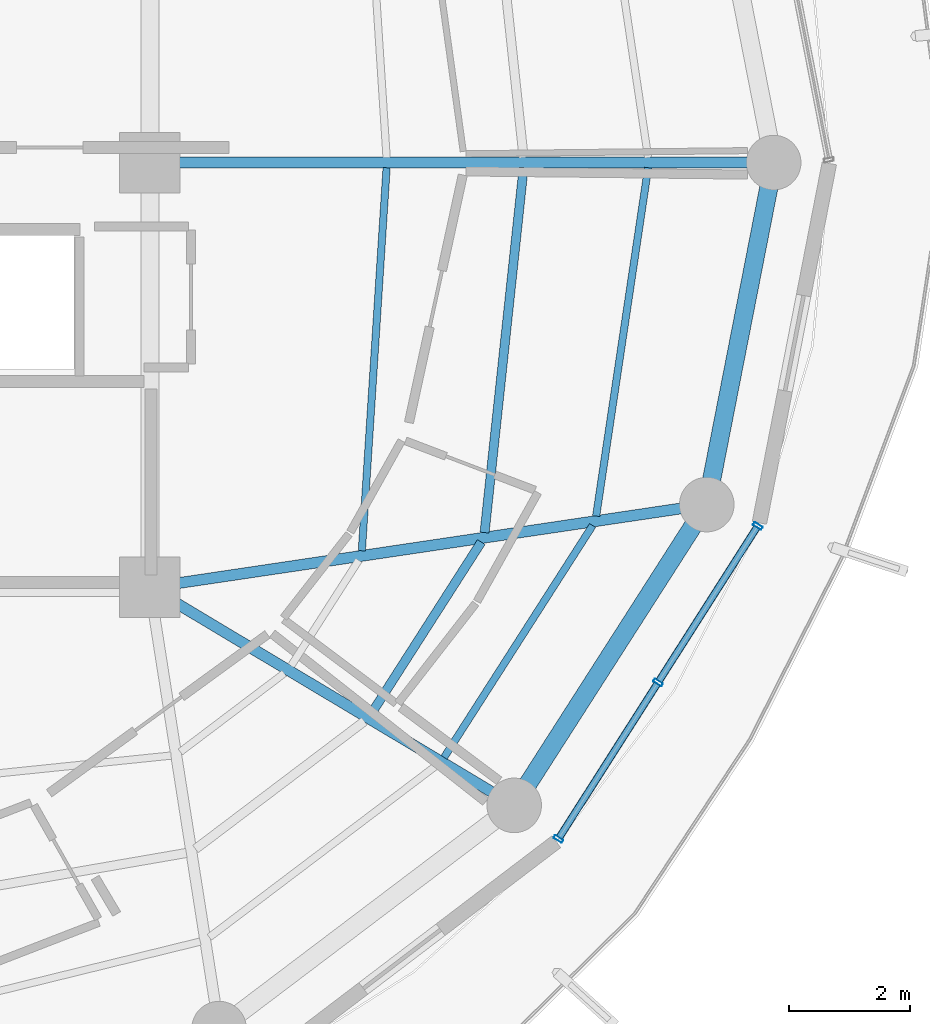
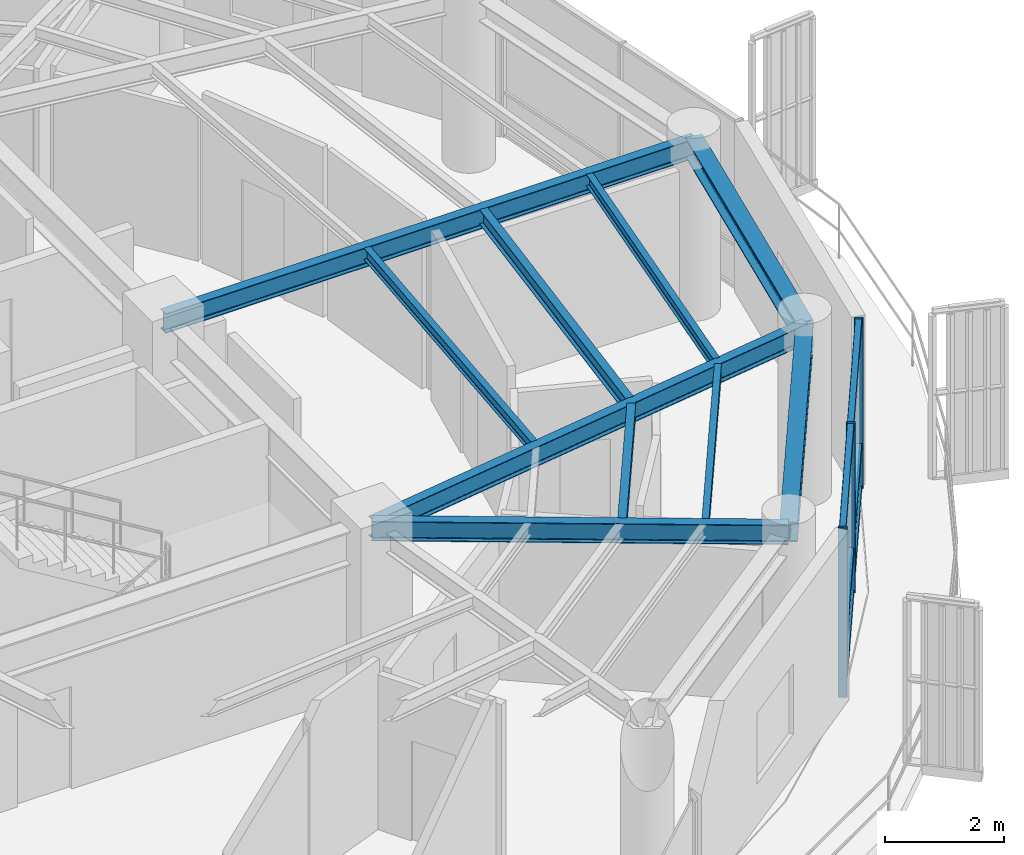
# One storey, part 9 of 22: 10 beams, 9 members, 1 element without a shape of its own.
"""IFC4 building model written with IfcOpenShell, lengths in metres."""

import ifcopenshell
import ifcopenshell.guid

model = None  # the IFC model being written
_history = None  # IfcOwnerHistory: only IFC2X3 demands one
_inside = {}  # id of a spatial element -> (the spatial element, [elements in it])
_under = {}  # id of a project, library or spatial element -> (it, [spatial elements below it])
_declared = {}  # id of a project -> (the project, [libraries it declares])
_typed = {}  # id of a type object -> (the type object, [elements of that type])
_made_of = {}  # id of a material, layer set ... -> (it, [elements and type objects made of it])


def new_model(schema):
    """Start an empty IFC model of exactly this schema.

    Asked for "IFC4X3", IfcOpenShell would pick the latest addendum, in which some entities
    have other attributes; the version numbers below select the first issue.
    IFC2X3 requires an IfcOwnerHistory on every rooted entity: one is made here for all.
    """
    global model, _history
    if schema == "IFC4X3":
        model = ifcopenshell.file(schema_version=(4, 3, 0, 0))
    else:
        model = ifcopenshell.file(schema=schema)
    _inside.clear()
    _under.clear()
    _declared.clear()
    _typed.clear()
    _made_of.clear()
    _history = None
    if model.schema == "IFC2X3":
        org = make("IfcOrganization", Name="unknown")
        user = make(
            "IfcPersonAndOrganization",
            ThePerson=make("IfcPerson", FamilyName="unknown"),
            TheOrganization=org,
        )
        app = make(
            "IfcApplication",
            ApplicationDeveloper=org,
            Version="unknown",
            ApplicationFullName="unknown",
            ApplicationIdentifier="unknown",
        )
        _history = make(
            "IfcOwnerHistory",
            OwningUser=user,
            OwningApplication=app,
            ChangeAction="ADDED",
            CreationDate=0,
        )
    return model


def make(cls, **values):
    """One entity of the class cls with the attributes given. An attribute that is None is left unset."""
    return model.create_entity(
        cls, **{name: value for name, value in values.items() if value is not None}
    )


def rooted(cls, **values):
    """An entity with a GlobalId (a new one), such as an element, a storey or a relation."""
    return make(cls, GlobalId=ifcopenshell.guid.new(), OwnerHistory=_history, **values)


def si_unit(unit_type, name, prefix=None):
    """IfcSIUnit, for example si_unit("LENGTHUNIT", "METRE", prefix="MILLI")."""
    return make("IfcSIUnit", UnitType=unit_type, Prefix=prefix, Name=name)


def assignment(units):
    """IfcUnitAssignment: the units of a project."""
    return None if units is None else make("IfcUnitAssignment", Units=units)


def point(xyz):
    """IfcCartesianPoint."""
    return None if xyz is None else make("IfcCartesianPoint", Coordinates=xyz)


def direction(xyz):
    """IfcDirection."""
    return None if xyz is None else make("IfcDirection", DirectionRatios=xyz)


def frame(location, z_axis=None, x_axis=None):
    """IfcAxis2Placement3D, a coordinate frame: its origin and axes. An axis left out is left unset."""
    return make(
        "IfcAxis2Placement3D",
        Location=point(location),
        Axis=direction(z_axis),
        RefDirection=direction(x_axis),
    )


def frame_2d(location, x_axis=None):
    """IfcAxis2Placement2D, a coordinate frame in the plane: its origin and x axis."""
    return make(
        "IfcAxis2Placement2D", Location=point(location), RefDirection=direction(x_axis)
    )


def origin():
    """The frame at (0, 0, 0) with its axes left unset."""
    return frame((0.0, 0.0, 0.0))


def origin_2d():
    """The frame at (0, 0) in the plane with its x axis left unset."""
    return frame_2d((0.0, 0.0))


def place(relative_to, where):
    """IfcLocalPlacement: puts the frame where relative to a parent placement (None: the world)."""
    return make(
        "IfcLocalPlacement", PlacementRelTo=relative_to, RelativePlacement=where
    )


def context(
    kind, dimensions, precision=None, world=None, true_north=None, identifier=None
):
    """IfcGeometricRepresentationContext, for example the 3D "Model" context."""
    return make(
        "IfcGeometricRepresentationContext",
        ContextIdentifier=identifier,
        ContextType=kind,
        CoordinateSpaceDimension=dimensions,
        Precision=precision,
        WorldCoordinateSystem=world,
        TrueNorth=true_north,
    )


def subcontext(parent, identifier, kind, view, scale=None):
    """IfcGeometricRepresentationSubContext, for example "Body" below "Model"."""
    return make(
        "IfcGeometricRepresentationSubContext",
        ContextIdentifier=identifier,
        ContextType=kind,
        ParentContext=parent,
        TargetScale=scale,
        TargetView=view,
    )


def project(units=None, contexts=None):
    """IfcProject with its units and contexts."""
    return rooted(
        "IfcProject",
        Name="project",
        RepresentationContexts=contexts,
        UnitsInContext=assignment(units),
    )


def spatial(cls, under=None, at=None, **own):
    """A site, building, storey or space (cls), placed at a placement, below another one or the project."""
    s = rooted(cls, ObjectPlacement=at, **own)
    if under is not None:
        _under.setdefault(under.id(), (under, []))[1].append(s)
    return s


def profile(cls, at=None, kind="AREA", **sizes):
    """A parametric profile (cls). Its sizes go by their IFC names, for example OverallWidth=200.0."""
    return make(cls, ProfileType=kind, Position=at, **sizes)


def hollow_rectangle(**sizes):
    """IfcRectangleHollowProfileDef."""
    return profile("IfcRectangleHollowProfileDef", **sizes)


def i_section(**sizes):
    """IfcIShapeProfileDef."""
    return profile("IfcIShapeProfileDef", **sizes)


def extrude(swept, where, along, depth):
    """IfcExtrudedAreaSolid: the profile swept, set in the frame where, extruded along a direction by depth."""
    return make(
        "IfcExtrudedAreaSolid",
        SweptArea=swept,
        Position=where,
        ExtrudedDirection=direction(along),
        Depth=depth,
    )


def shape(context_of_items, identifier, shape_type, items):
    """IfcShapeRepresentation: the items that make up one representation, for example the "Body"."""
    return make(
        "IfcShapeRepresentation",
        ContextOfItems=context_of_items,
        RepresentationIdentifier=identifier,
        RepresentationType=shape_type,
        Items=items,
    )


def material(Name=None, Category=None):
    """IfcMaterial."""
    return make("IfcMaterial", Name=Name, Category=Category)


def layer(
    of_material, thickness, ventilated=None, Name=None, Category=None, Priority=None
):
    """IfcMaterialLayer: one layer of a wall or slab, of a material (None: an air gap)."""
    return make(
        "IfcMaterialLayer",
        Material=of_material,
        LayerThickness=thickness,
        IsVentilated=ventilated,
        Name=Name,
        Category=Category,
        Priority=Priority,
    )


def layer_set(layers, Name=None):
    """IfcMaterialLayerSet."""
    return make("IfcMaterialLayerSet", MaterialLayers=layers, LayerSetName=Name)


def material_profile(
    of_material, cross_section, Name=None, Category=None, Priority=None
):
    """IfcMaterialProfile: a cross section and its material."""
    return make(
        "IfcMaterialProfile",
        Name=Name,
        Material=of_material,
        Profile=cross_section,
        Priority=Priority,
        Category=Category,
    )


def profile_set(profiles, Name=None, composite=None):
    """IfcMaterialProfileSet."""
    return make(
        "IfcMaterialProfileSet",
        Name=Name,
        MaterialProfiles=profiles,
        CompositeProfile=composite,
    )


def made_of(thing, what):
    """Note that an element or type object is made of a material, layer set ...; save() writes the relation."""
    if what is not None:
        _made_of.setdefault(what.id(), (what, []))[1].append(thing)
    return thing


def type_object(cls, material=None, **own):
    """A type object (cls), such as IfcWallType, which elements share."""
    return made_of(rooted(cls, **own), material)


def element(
    cls,
    number,
    at=None,
    inside=None,
    cuts=None,
    type_object=None,
    material=None,
    context=None,
    identifier="Body",
    shape_type=None,
    held_by="IfcProductDefinitionShape",
    body=None,
    shapes=None,
    **own,
):
    """One element of the class cls, such as IfcWall. Its Tag is "e" and its number.

    at: its placement. inside: the storey or other place that contains it. cuts: it is an
    opening in that element (IfcRelVoidsElement). A single representation is given by context,
    identifier, shape_type and body (its items); several are given by shapes. held_by: the class
    of the entity that holds the representations. save() writes the other relations.
    """
    e = rooted(cls, Tag="e%d" % number, ObjectPlacement=at, **own)
    if body is not None:
        shapes = [shape(context, identifier, shape_type, body)]
    if shapes is not None:
        e.Representation = make(held_by, Representations=shapes)
    if inside is not None:
        _inside.setdefault(inside.id(), (inside, []))[1].append(e)
    if cuts is not None:
        rooted(
            "IfcRelVoidsElement", RelatingBuildingElement=cuts, RelatedOpeningElement=e
        )
    if type_object is not None:
        _typed.setdefault(type_object.id(), (type_object, []))[1].append(e)
    return made_of(e, material)


def aggregate(whole, parts):
    """IfcRelAggregates: a whole, such as a stair, and the parts it consists of."""
    return rooted("IfcRelAggregates", RelatingObject=whole, RelatedObjects=parts)


def save(model, path):
    """Write the relations noted so far, then the file.

    IfcRelAggregates (storeys below a building ...), IfcRelContainedInSpatialStructure (elements
    in a storey), IfcRelDefinesByType, IfcRelAssociatesMaterial and IfcRelDeclares: one each for
    every whole, place, type object, material and project.
    """
    for whole, parts in _under.values():
        aggregate(whole, parts)
    for where, things in _inside.values():
        rooted(
            "IfcRelContainedInSpatialStructure",
            RelatedElements=things,
            RelatingStructure=where,
        )
    for kind, things in _typed.values():
        rooted("IfcRelDefinesByType", RelatedObjects=things, RelatingType=kind)
    for what, things in _made_of.values():
        rooted("IfcRelAssociatesMaterial", RelatedObjects=things, RelatingMaterial=what)
    for by, libraries in _declared.values():
        rooted("IfcRelDeclares", RelatingContext=by, RelatedDefinitions=libraries)
    model.write(path)


model = new_model("IFC4")

# Units and contexts
model_context = context("Model", 3, precision=1e-05, world=origin(), true_north=direction((0.0, 1.0)))
body_context = subcontext(model_context, "Body", "Model", "MODEL_VIEW")
ifc_project = project(units=[si_unit("LENGTHUNIT", "METRE"), si_unit("AREAUNIT", "SQUARE_METRE"), si_unit("VOLUMEUNIT", "CUBIC_METRE"), si_unit("PLANEANGLEUNIT", "RADIAN"), si_unit("MASSUNIT", "GRAM", prefix="KILO")], contexts=[model_context])

# Site, building, storey
site_placement = place(None, origin())
site = spatial("IfcSite", under=ifc_project, at=site_placement, CompositionType="ELEMENT")
building_placement = place(site_placement, origin())
building = spatial("IfcBuilding", under=site, at=building_placement, Name="Kelanora Arch Commons", CompositionType="ELEMENT")
storey_placement = place(building_placement, frame((0.0, 0.0, 274.949951171875)))
storey = spatial("IfcBuildingStorey", under=building, at=storey_placement, Name="L70", CompositionType="ELEMENT", Elevation=274.949951171875)

# Beams
ifc_material_1 = material(Name="Steel S355", Category="steel")
ifc_material_profile_1 = material_profile(ifc_material_1, i_section(OverallWidth=0.14990234375, OverallDepth=0.300048828125, WebThickness=0.007080078125, FlangeThickness=0.0107421875, FilletRadius=0.014892578125, at=origin_2d()), Name="IPE300")
ifc_profile_set_1 = profile_set([ifc_material_profile_1], Name="Steel S355")
beam_type_1 = type_object("IfcBeamType", Name="BM-JST-01", PredefinedType="JOIST", material=ifc_profile_set_1)
beam_1_placement = place(storey_placement, frame((85.647705078125, 48.915771484375, 3.340087890625), z_axis=(0.539321586177, 0.842099891155, 0.0), x_axis=(-0.842099891155, 0.539321586177, 0.0)))
element("IfcBeam", 1, at=beam_1_placement, inside=storey, type_object=beam_type_1, Name="Secondary Chord Joist BJB-32 L70", PredefinedType="JOIST", context=body_context, shape_type="SweptSolid", body=[
    extrude(i_section(OverallWidth=0.14990234375, OverallDepth=0.300048828125, WebThickness=0.007080078125, FlangeThickness=0.0107421875, FilletRadius=0.014892578125, at=origin_2d()), origin(), (0.0, 0.0, 1.0), 3.361572265625),
])
beam_2_placement = place(storey_placement, frame((87.515625, 51.902587890625, 3.340087890625), z_axis=(0.106380594087, 0.994325484538, 0.0), x_axis=(-0.994325484538, 0.106380594087, 0.0)))
element("IfcBeam", 2, at=beam_2_placement, inside=storey, type_object=beam_type_1, Name="Secondary Chord Joist BJB-34 L70", PredefinedType="JOIST", context=body_context, shape_type="SweptSolid", body=[
    extrude(i_section(OverallWidth=0.14990234375, OverallDepth=0.300048828125, WebThickness=0.007080078125, FlangeThickness=0.0107421875, FilletRadius=0.014892578125, at=origin_2d()), origin(), (0.0, 0.0, 1.0), 6.04736328125),
])
ifc_material_profile_2 = material_profile(ifc_material_1, i_section(OverallWidth=0.1201171875, OverallDepth=0.239990234375, WebThickness=0.006103515625, FlangeThickness=0.009765625, FilletRadius=0.014892578125, at=origin_2d()), Name="IPE240")
ifc_profile_set_2 = profile_set([ifc_material_profile_2], Name="Steel S355")
beam_type_2 = type_object("IfcBeamType", Name="BM-JST-02", PredefinedType="JOIST", material=ifc_profile_set_2)
beam_3_placement = place(storey_placement, frame((86.848388671875, 48.197021484375, 3.3701171875), z_axis=(0.539288735289, 0.842120929552, 0.0), x_axis=(-0.842120929552, 0.539288735289, 0.0)))
element("IfcBeam", 3, at=beam_3_placement, inside=storey, type_object=beam_type_2, Name="Secondary Chord Joist BJC-32 L70", PredefinedType="JOIST", context=body_context, shape_type="SweptSolid", body=[
    extrude(i_section(OverallWidth=0.1201171875, OverallDepth=0.239990234375, WebThickness=0.006103515625, FlangeThickness=0.009765625, FilletRadius=0.014892578125, at=origin_2d()), origin(), (0.0, 0.0, 1.0), 4.538818359375),
])
beam_4_placement = place(storey_placement, frame((85.492919921875, 51.60302734375, 3.3701171875), z_axis=(0.064495107978, 0.99791802321, 0.0), x_axis=(-0.99791802321, 0.064495107978, 0.0)))
element("IfcBeam", 4, at=beam_4_placement, inside=storey, type_object=beam_type_2, Name="Secondary Chord Joist BJA-34 L70", PredefinedType="JOIST", context=body_context, shape_type="SweptSolid", body=[
    extrude(i_section(OverallWidth=0.1201171875, OverallDepth=0.239990234375, WebThickness=0.006103515625, FlangeThickness=0.009765625, FilletRadius=0.014892578125, at=origin_2d()), origin(), (0.0, 0.0, 1.0), 6.325439453125),
])
beam_5_placement = place(storey_placement, frame((89.3544921875, 52.1748046875, 3.3701171875), z_axis=(0.14762470282, 0.989043450571, 0.0), x_axis=(-0.989043450571, 0.14762470282, 0.0)))
element("IfcBeam", 5, at=beam_5_placement, inside=storey, type_object=beam_type_2, Name="Secondary Chord Joist BJC-34 L70", PredefinedType="JOIST", context=body_context, shape_type="SweptSolid", body=[
    extrude(i_section(OverallWidth=0.1201171875, OverallDepth=0.239990234375, WebThickness=0.006103515625, FlangeThickness=0.009765625, FilletRadius=0.014892578125, at=origin_2d()), origin(), (0.0, 0.0, 1.0), 5.804931640625),
])
ifc_material_profile_3 = material_profile(ifc_material_1, i_section(OverallWidth=0.179931640625, OverallDepth=0.39990234375, WebThickness=0.008544921875, FlangeThickness=0.013427734375, FilletRadius=0.02099609375, at=origin_2d()), Name="IPE400")
ifc_profile_set_3 = profile_set([ifc_material_profile_3], Name="Steel S355")
beam_type_3 = type_object("IfcBeamType", Name="BM-RAD-Z5", PredefinedType="BEAM", material=ifc_profile_set_3)
beam_6_placement = place(storey_placement, frame((82.0, 58.0, 3.2900390625), z_axis=(1.0, 0.0, 0.0), x_axis=(0.0, 1.0, 0.0)))
element("IfcBeam", 6, at=beam_6_placement, inside=storey, type_object=beam_type_3, Name="Radial Floor Girder BR-00 L70", PredefinedType="BEAM", context=body_context, shape_type="SweptSolid", body=[
    extrude(i_section(OverallWidth=0.179931640625, OverallDepth=0.39990234375, WebThickness=0.008544921875, FlangeThickness=0.013427734375, FilletRadius=0.02099609375, at=origin_2d()), origin(), (0.0, 0.0, 1.0), 10.280029296875),
])
beam_7_placement = place(storey_placement, frame((82.0, 51.0, 3.2900390625), z_axis=(0.858062005744, -0.513546097541, 0.0), x_axis=(0.513546097541, 0.858062005744, 0.0)))
element("IfcBeam", 7, at=beam_7_placement, inside=storey, type_object=beam_type_3, Name="Radial Floor Girder BR-32 L70", PredefinedType="BEAM", context=body_context, shape_type="SweptSolid", body=[
    extrude(i_section(OverallWidth=0.179931640625, OverallDepth=0.39990234375, WebThickness=0.008544921875, FlangeThickness=0.013427734375, FilletRadius=0.02099609375, at=origin_2d()), origin(), (0.0, 0.0, 1.0), 6.99658203125),
])
beam_8_placement = place(storey_placement, frame((82.0, 51.0, 3.2900390625), z_axis=(0.989142485564, 0.146959665395, 0.0), x_axis=(-0.146959665395, 0.989142485564, 0.0)))
element("IfcBeam", 8, at=beam_8_placement, inside=storey, type_object=beam_type_3, Name="Radial Floor Girder BR-34 L70", PredefinedType="BEAM", context=body_context, shape_type="SweptSolid", body=[
    extrude(i_section(OverallWidth=0.179931640625, OverallDepth=0.39990234375, WebThickness=0.008544921875, FlangeThickness=0.013427734375, FilletRadius=0.02099609375, at=origin_2d()), origin(), (0.0, 0.0, 1.0), 9.2783203125),
])
ifc_material_profile_4 = material_profile(ifc_material_1, i_section(OverallWidth=0.300048828125, OverallDepth=0.39990234375, WebThickness=0.013427734375, FlangeThickness=0.02392578125, FilletRadius=0.027099609375, at=origin_2d()), Name="HEB400")
ifc_profile_set_4 = profile_set([ifc_material_profile_4], Name="Steel S355")
beam_type_4 = type_object("IfcBeamType", Name="BM-SPN-Z4", PredefinedType="SPANDREL", material=ifc_profile_set_4)
beam_9_placement = place(storey_placement, frame((88.00341796875, 47.406982421875, 3.2900390625), z_axis=(0.539280851353, 0.842125978322, 0.0), x_axis=(-0.842125978322, 0.539280851353, 0.0)))
element("IfcBeam", 9, at=beam_9_placement, inside=storey, type_object=beam_type_4, Name="Perimeter Spandrel Beam BS-32 L70", PredefinedType="SPANDREL", context=body_context, shape_type="SweptSolid", body=[
    extrude(i_section(OverallWidth=0.300048828125, OverallDepth=0.39990234375, WebThickness=0.013427734375, FlangeThickness=0.02392578125, FilletRadius=0.027099609375, at=origin_2d()), origin(), (0.0, 0.0, 1.0), 5.8857421875),
])
beam_10_placement = place(storey_placement, frame((91.177490234375, 52.363525390625, 3.2900390625), z_axis=(0.191969774604, 0.981400838413, 0.0), x_axis=(-0.981400838413, 0.191969774604, 0.0)))
element("IfcBeam", 10, at=beam_10_placement, inside=storey, type_object=beam_type_4, Name="Perimeter Spandrel Beam BS-34 L70", PredefinedType="SPANDREL", context=body_context, shape_type="SweptSolid", body=[
    extrude(i_section(OverallWidth=0.300048828125, OverallDepth=0.39990234375, WebThickness=0.013427734375, FlangeThickness=0.02392578125, FilletRadius=0.027099609375, at=origin_2d()), origin(), (0.0, 0.0, 1.0), 5.743408203125),
])

# Curtain wall, members
ifc_material_2 = material(Name="Terracotta ceramic-fritted low-E glass and aluminium", Category="masonry")
ifc_layer = layer(ifc_material_2, 0.18994140625)
ifc_layer_set = layer_set([ifc_layer], Name="Terracotta ceramic-fritted low-E glass and aluminium")
curtain_wall_type = type_object("IfcCurtainWallType", Name="CW-SYS-03", PredefinedType="NOTDEFINED", material=ifc_layer_set)
curtain_wall_placement = place(storey_placement, origin())
curtain_wall = element("IfcCurtainWall", 11, at=curtain_wall_placement, inside=storey, type_object=curtain_wall_type, Name="Unitised Curtain Wall L70-B16", PredefinedType="NOTDEFINED")
ifc_material_3 = material(Name="Powder-coated aluminium terracotta", Category="masonry")
ifc_material_profile_5 = material_profile(ifc_material_3, hollow_rectangle(XDim=0.159912109375, YDim=0.06005859375, WallThickness=0.0048828125, InnerFilletRadius=0.0048828125, OuterFilletRadius=0.010009765625, at=origin_2d()), Name="CWM160x60")
ifc_profile_set_5 = profile_set([ifc_material_profile_5], Name="Powder-coated aluminium terracotta")
member_type_1 = type_object("IfcMemberType", Name="CWM-STD", PredefinedType="MULLION", material=ifc_profile_set_5)
member_1_placement = place(storey_placement, frame((88.732421875, 46.853515625, 0.0), z_axis=(0.0, 0.0, 1.0), x_axis=(-0.843391314545, 0.537299814397, 0.0)))
member_1 = element("IfcMember", 12, at=member_1_placement, type_object=member_type_1, Name="CW-03 mullion 1", PredefinedType="MULLION", context=body_context, shape_type="SweptSolid", body=[
    extrude(hollow_rectangle(XDim=0.159912109375, YDim=0.06005859375, WallThickness=0.0048828125, InnerFilletRadius=0.0048828125, OuterFilletRadius=0.010009765625, at=origin_2d()), origin(), (0.0, 0.0, 1.0), 3.47509765625),
])
member_2_placement = place(storey_placement, frame((90.375, 49.43212890625, 0.0), z_axis=(0.0, 0.0, 1.0), x_axis=(-0.843391314545, 0.537299814397, 0.0)))
member_2 = element("IfcMember", 13, at=member_2_placement, type_object=member_type_1, Name="CW-03 mullion 2", PredefinedType="MULLION", context=body_context, shape_type="SweptSolid", body=[
    extrude(hollow_rectangle(XDim=0.159912109375, YDim=0.06005859375, WallThickness=0.0048828125, InnerFilletRadius=0.0048828125, OuterFilletRadius=0.010009765625, at=origin_2d()), origin(), (0.0, 0.0, 1.0), 3.47509765625),
])
member_3_placement = place(storey_placement, frame((92.017822265625, 52.0107421875, 0.0), z_axis=(0.0, 0.0, 1.0), x_axis=(-0.843391314545, 0.537299814397, 0.0)))
member_3 = element("IfcMember", 14, at=member_3_placement, type_object=member_type_1, Name="CW-03 mullion 3", PredefinedType="MULLION", context=body_context, shape_type="SweptSolid", body=[
    extrude(hollow_rectangle(XDim=0.159912109375, YDim=0.06005859375, WallThickness=0.0048828125, InnerFilletRadius=0.0048828125, OuterFilletRadius=0.010009765625, at=origin_2d()), origin(), (0.0, 0.0, 1.0), 3.47509765625),
])
ifc_material_profile_6 = material_profile(ifc_material_3, hollow_rectangle(XDim=0.1201171875, YDim=0.06005859375, WallThickness=0.0048828125, InnerFilletRadius=0.0048828125, OuterFilletRadius=0.010009765625, at=origin_2d()), Name="CWT120x60")
ifc_profile_set_6 = profile_set([ifc_material_profile_6], Name="Powder-coated aluminium terracotta")
member_type_2 = type_object("IfcMemberType", Name="CWT-STD", PredefinedType="USERDEFINED", material=ifc_profile_set_6)
member_4_placement = place(storey_placement, frame((88.74853515625, 46.87890625, 0.030029296875), z_axis=(0.537286543791, 0.84339976871, 0.0), x_axis=(-0.84339976871, 0.537286543791, 0.0)))
member_4 = element("IfcMember", 15, at=member_4_placement, type_object=member_type_2, Name="CW-03 transom 1.1", ObjectType="TRANSOM", PredefinedType="USERDEFINED", context=body_context, shape_type="SweptSolid", body=[
    extrude(hollow_rectangle(XDim=0.1201171875, YDim=0.06005859375, WallThickness=0.0048828125, InnerFilletRadius=0.0048828125, OuterFilletRadius=0.010009765625, at=origin_2d()), origin(), (0.0, 0.0, 1.0), 2.997314453125),
])
member_5_placement = place(storey_placement, frame((88.74853515625, 46.87890625, 0.900146484375), z_axis=(0.537286543791, 0.84339976871, 0.0), x_axis=(-0.84339976871, 0.537286543791, 0.0)))
member_5 = element("IfcMember", 16, at=member_5_placement, type_object=member_type_2, Name="CW-03 transom 1.2", ObjectType="TRANSOM", PredefinedType="USERDEFINED", context=body_context, shape_type="SweptSolid", body=[
    extrude(hollow_rectangle(XDim=0.1201171875, YDim=0.06005859375, WallThickness=0.0048828125, InnerFilletRadius=0.0048828125, OuterFilletRadius=0.010009765625, at=origin_2d()), origin(), (0.0, 0.0, 1.0), 2.997314453125),
])
member_6_placement = place(storey_placement, frame((88.74853515625, 46.87890625, 3.445068359375), z_axis=(0.537286543791, 0.84339976871, 0.0), x_axis=(-0.84339976871, 0.537286543791, 0.0)))
member_6 = element("IfcMember", 17, at=member_6_placement, type_object=member_type_2, Name="CW-03 transom 1.3", ObjectType="TRANSOM", PredefinedType="USERDEFINED", context=body_context, shape_type="SweptSolid", body=[
    extrude(hollow_rectangle(XDim=0.1201171875, YDim=0.06005859375, WallThickness=0.0048828125, InnerFilletRadius=0.0048828125, OuterFilletRadius=0.010009765625, at=origin_2d()), origin(), (0.0, 0.0, 1.0), 2.997314453125),
])
member_7_placement = place(storey_placement, frame((90.39111328125, 49.45751953125, 0.030029296875), z_axis=(0.537307571338, 0.843386372775, 0.0), x_axis=(-0.843386372775, 0.537307571338, 0.0)))
member_7 = element("IfcMember", 18, at=member_7_placement, type_object=member_type_2, Name="CW-03 transom 2.1", ObjectType="TRANSOM", PredefinedType="USERDEFINED", context=body_context, shape_type="SweptSolid", body=[
    extrude(hollow_rectangle(XDim=0.1201171875, YDim=0.06005859375, WallThickness=0.0048828125, InnerFilletRadius=0.0048828125, OuterFilletRadius=0.010009765625, at=origin_2d()), origin(), (0.0, 0.0, 1.0), 2.99755859375),
])
member_8_placement = place(storey_placement, frame((90.39111328125, 49.45751953125, 0.900146484375), z_axis=(0.537307571338, 0.843386372775, 0.0), x_axis=(-0.843386372775, 0.537307571338, 0.0)))
member_8 = element("IfcMember", 19, at=member_8_placement, type_object=member_type_2, Name="CW-03 transom 2.2", ObjectType="TRANSOM", PredefinedType="USERDEFINED", context=body_context, shape_type="SweptSolid", body=[
    extrude(hollow_rectangle(XDim=0.1201171875, YDim=0.06005859375, WallThickness=0.0048828125, InnerFilletRadius=0.0048828125, OuterFilletRadius=0.010009765625, at=origin_2d()), origin(), (0.0, 0.0, 1.0), 2.99755859375),
])
member_9_placement = place(storey_placement, frame((90.39111328125, 49.45751953125, 3.445068359375), z_axis=(0.537307571338, 0.843386372775, 0.0), x_axis=(-0.843386372775, 0.537307571338, 0.0)))
member_9 = element("IfcMember", 20, at=member_9_placement, type_object=member_type_2, Name="CW-03 transom 2.3", ObjectType="TRANSOM", PredefinedType="USERDEFINED", context=body_context, shape_type="SweptSolid", body=[
    extrude(hollow_rectangle(XDim=0.1201171875, YDim=0.06005859375, WallThickness=0.0048828125, InnerFilletRadius=0.0048828125, OuterFilletRadius=0.010009765625, at=origin_2d()), origin(), (0.0, 0.0, 1.0), 2.99755859375),
])
aggregate(curtain_wall, [member_1, member_2, member_3, member_4, member_5, member_6, member_7, member_8, member_9])

save(model, "model.ifc")
